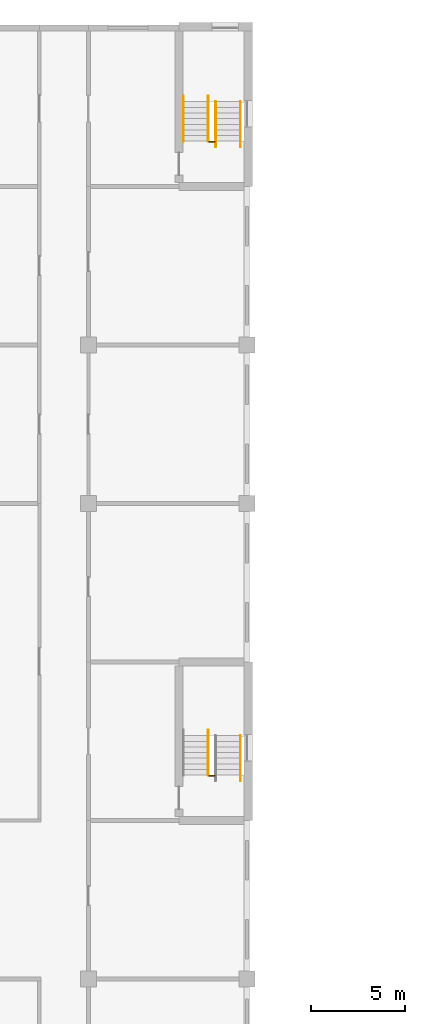
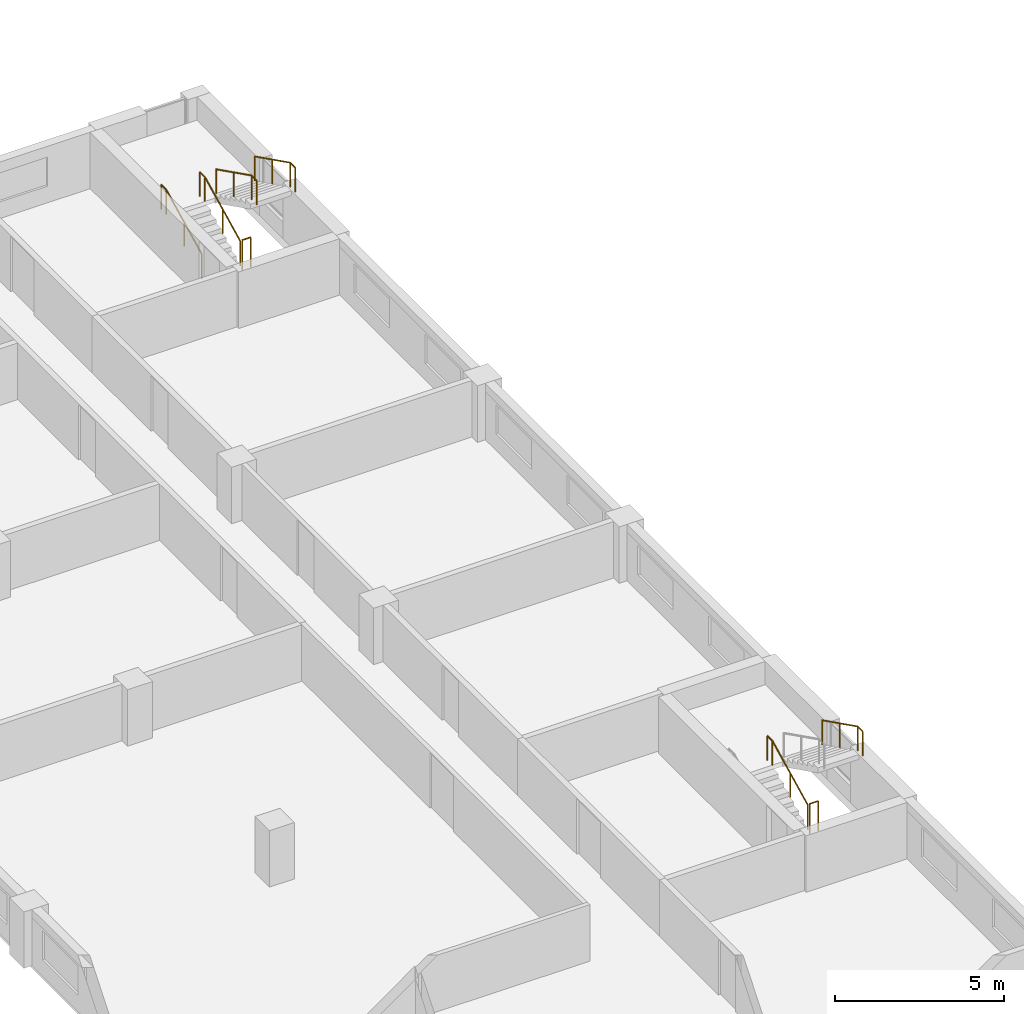
# One storey, part 47 of 48: 8 railings.
"""IFC4 building model written with IfcOpenShell, lengths in metres."""

from ifc_helpers import new_model, si_unit, direction, frame, origin, origin_2d, place, context, subcontext, project, spatial, circle, extrude, material, type_object, element, save


model = new_model("IFC4")

# Units and contexts
model_context = context("Model", 3, precision=1e-05, world=origin(), true_north=direction((0.0, 1.0)))
body_context = subcontext(model_context, "Body", "Model", "MODEL_VIEW")
ifc_project = project(units=[si_unit("LENGTHUNIT", "METRE"), si_unit("AREAUNIT", "SQUARE_METRE"), si_unit("VOLUMEUNIT", "CUBIC_METRE"), si_unit("PLANEANGLEUNIT", "RADIAN"), si_unit("MASSUNIT", "GRAM", prefix="KILO")], contexts=[model_context])

# Site, building, storey
site_placement = place(None, origin())
site = spatial("IfcSite", under=ifc_project, at=site_placement, CompositionType="ELEMENT")
building_placement = place(site_placement, origin())
building = spatial("IfcBuilding", under=site, at=building_placement, Name="Yavir Park General Hospital", CompositionType="ELEMENT")
storey_placement = place(building_placement, frame((0.0, 0.0, 12.89990234375)))
storey = spatial("IfcBuildingStorey", under=building, at=storey_placement, Name="I02", CompositionType="ELEMENT", Elevation=12.89990234375)

# Railings
ifc_material_1 = material(Name="Steel balustrade with infill rods", Category="steel")
railing_type_1 = type_object("IfcRailingType", Name="Stair guard, steel balustrade 1100 mm", PredefinedType="GUARDRAIL", material=ifc_material_1)
for number, where, name in (
    (1, (23.199951171875, 77.969970703125, 0.0), "Stair well guard SW2 I02"),
    (2, (23.199951171875, 111.570068359375, 0.0), "Stair well guard SW3 I02"),
):
    element("IfcRailing", number, at=place(storey_placement, frame(where)), inside=storey, type_object=railing_type_1, Name=name, PredefinedType="GUARDRAIL", context=body_context, shape_type="SweptSolid", body=[
        extrude(circle(Radius=0.02392578125, at=origin_2d()), frame((0.0, 0.0, 1.076171875), z_axis=(1.0, 0.0, 0.0), x_axis=(0.0, 1.0, 0.0)), (0.0, 0.0, 1.0), 0.300048828125),
        extrude(circle(Radius=0.02099609375, at=origin_2d()), origin(), (0.0, 0.0, 1.0), 1.052001953125),
        extrude(circle(Radius=0.02099609375, at=origin_2d()), frame((0.300048828125, 0.0, 0.0)), (0.0, 0.0, 1.0), 1.052001953125),
    ])
ifc_material_2 = material(Name="Stainless steel tube 48 mm", Category="steel")
railing_type_2 = type_object("IfcRailingType", Name="Stair handrail, steel tube, 900 mm above the nosings", PredefinedType="HANDRAIL", material=ifc_material_2)
railing_1_placement = place(storey_placement, frame((23.159912109375, 78.0, 0.150146484375)))
element("IfcRailing", 3, at=railing_1_placement, inside=storey, type_object=railing_type_2, Name="Handrail SW2 I02 2", PredefinedType="HANDRAIL", context=body_context, shape_type="SweptSolid", body=[
    extrude(circle(Radius=0.02392578125, at=origin_2d()), frame((0.0, 0.0, 0.8759765625), z_axis=(0.0, 0.894427191, 0.4472135955), x_axis=(-1.0, 0.0, 0.0)), (0.0, 0.0, 1.0), 2.347900390625),
    extrude(circle(Radius=0.02392578125, at=origin_2d()), frame((0.0, 2.10009765625, 1.92578125), z_axis=(0.0, 1.0, 0.0), x_axis=(-1.0, 0.0, 0.0)), (0.0, 0.0, 1.0), 0.2998046875),
    extrude(circle(Radius=0.02099609375, at=origin_2d()), origin(), (0.0, 0.0, 1.0), 0.851806640625),
    extrude(circle(Radius=0.02099609375, at=origin_2d()), frame((0.0, 1.050048828125, 0.52490234375)), (0.0, 0.0, 1.0), 0.851806640625),
    extrude(circle(Radius=0.02099609375, at=origin_2d()), frame((0.0, 2.10009765625, 1.050048828125)), (0.0, 0.0, 1.0), 0.851806640625),
    extrude(circle(Radius=0.02099609375, at=origin_2d()), frame((0.0, 2.39990234375, 1.050048828125)), (0.0, 0.0, 1.0), 0.851806640625),
])
railing_2_placement = place(storey_placement, frame((24.860107421875, 80.10009765625, 1.35009765625)))
element("IfcRailing", 4, at=railing_2_placement, inside=storey, type_object=railing_type_2, Name="Handrail SW2 I02 3", PredefinedType="HANDRAIL", context=body_context, shape_type="SweptSolid", body=[
    extrude(circle(Radius=0.02392578125, at=origin_2d()), frame((0.0, 0.0, 0.8759765625), z_axis=(0.0, -0.894427191, 0.4472135955), x_axis=(1.0, 0.0, 0.0)), (0.0, 0.0, 1.0), 2.347900390625),
    extrude(circle(Radius=0.02392578125, at=origin_2d()), frame((0.0, -2.10009765625, 1.92578125), z_axis=(0.0, -1.0, 0.0), x_axis=(1.0, 0.0, 0.0)), (0.0, 0.0, 1.0), 0.300048828125),
    extrude(circle(Radius=0.02099609375, at=origin_2d()), origin(), (0.0, 0.0, 1.0), 0.851806640625),
    extrude(circle(Radius=0.02099609375, at=origin_2d()), frame((0.0, -1.050048828125, 0.52490234375)), (0.0, 0.0, 1.0), 0.851806640625),
    extrude(circle(Radius=0.02099609375, at=origin_2d()), frame((0.0, -2.10009765625, 1.050048828125)), (0.0, 0.0, 1.0), 0.851806640625),
    extrude(circle(Radius=0.02099609375, at=origin_2d()), frame((0.0, -2.400146484375, 1.050048828125)), (0.0, 0.0, 1.0), 0.851806640625),
])
for number, where, name in (
    (5, (21.840087890625, 111.60009765625, 0.150146484375), "Handrail SW3 I02 1"),
    (6, (23.159912109375, 111.60009765625, 0.150146484375), "Handrail SW3 I02 2"),
):
    element("IfcRailing", number, at=place(storey_placement, frame(where)), inside=storey, type_object=railing_type_2, Name=name, PredefinedType="HANDRAIL", context=body_context, shape_type="SweptSolid", body=[
        extrude(circle(Radius=0.02392578125, at=origin_2d()), frame((0.0, 0.0, 0.8759765625), z_axis=(0.0, 0.894406392302, 0.447255190477), x_axis=(-1.0, 0.0, 0.0)), (0.0, 0.0, 1.0), 2.34765625),
        extrude(circle(Radius=0.02392578125, at=origin_2d()), frame((0.0, 2.099853515625, 1.92578125), z_axis=(0.0, 1.0, 0.0), x_axis=(-1.0, 0.0, 0.0)), (0.0, 0.0, 1.0), 0.300048828125),
        extrude(circle(Radius=0.02099609375, at=origin_2d()), origin(), (0.0, 0.0, 1.0), 0.851806640625),
        extrude(circle(Radius=0.02099609375, at=origin_2d()), frame((0.0, 1.0498046875, 0.52490234375)), (0.0, 0.0, 1.0), 0.851806640625),
        extrude(circle(Radius=0.02099609375, at=origin_2d()), frame((0.0, 2.099853515625, 1.050048828125)), (0.0, 0.0, 1.0), 0.851806640625),
        extrude(circle(Radius=0.02099609375, at=origin_2d()), frame((0.0, 2.39990234375, 1.050048828125)), (0.0, 0.0, 1.0), 0.851806640625),
    ])
for number, where, name in (
    (7, (24.860107421875, 113.699951171875, 1.35009765625), "Handrail SW3 I02 3"),
    (8, (23.5400390625, 113.699951171875, 1.35009765625), "Handrail SW3 I02 4"),
):
    element("IfcRailing", number, at=place(storey_placement, frame(where)), inside=storey, type_object=railing_type_2, Name=name, PredefinedType="HANDRAIL", context=body_context, shape_type="SweptSolid", body=[
        extrude(circle(Radius=0.02392578125, at=origin_2d()), frame((0.0, 0.0, 0.8759765625), z_axis=(0.0, -0.894406392302, 0.447255190477), x_axis=(1.0, 0.0, 0.0)), (0.0, 0.0, 1.0), 2.34765625),
        extrude(circle(Radius=0.02392578125, at=origin_2d()), frame((0.0, -2.099853515625, 1.92578125), z_axis=(0.0, -1.0, 0.0), x_axis=(1.0, 0.0, 0.0)), (0.0, 0.0, 1.0), 0.300048828125),
        extrude(circle(Radius=0.02099609375, at=origin_2d()), origin(), (0.0, 0.0, 1.0), 0.851806640625),
        extrude(circle(Radius=0.02099609375, at=origin_2d()), frame((0.0, -1.0498046875, 0.52490234375)), (0.0, 0.0, 1.0), 0.851806640625),
        extrude(circle(Radius=0.02099609375, at=origin_2d()), frame((0.0, -2.099853515625, 1.050048828125)), (0.0, 0.0, 1.0), 0.851806640625),
        extrude(circle(Radius=0.02099609375, at=origin_2d()), frame((0.0, -2.39990234375, 1.050048828125)), (0.0, 0.0, 1.0), 0.851806640625),
    ])

save(model, "model.ifc")
